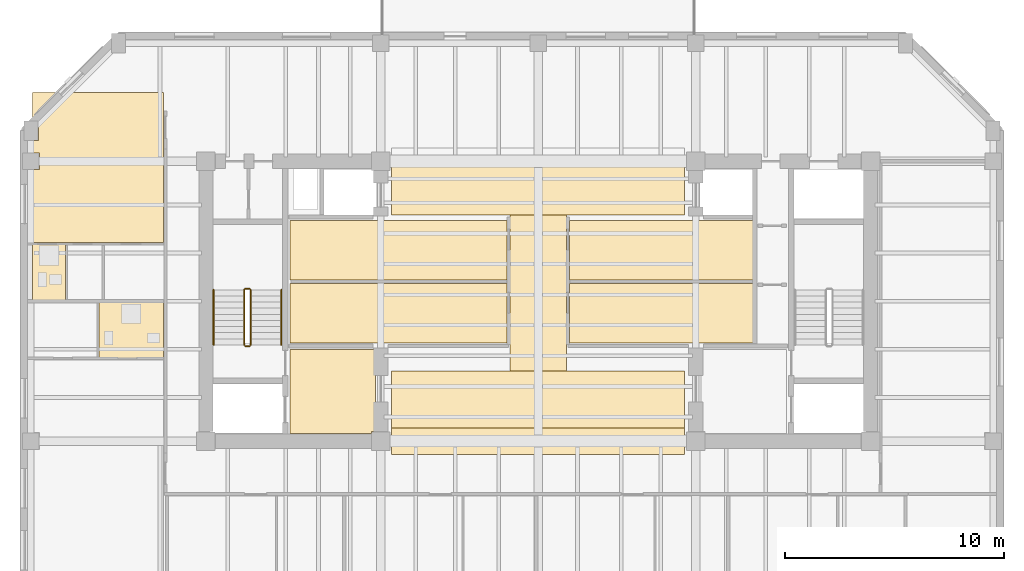
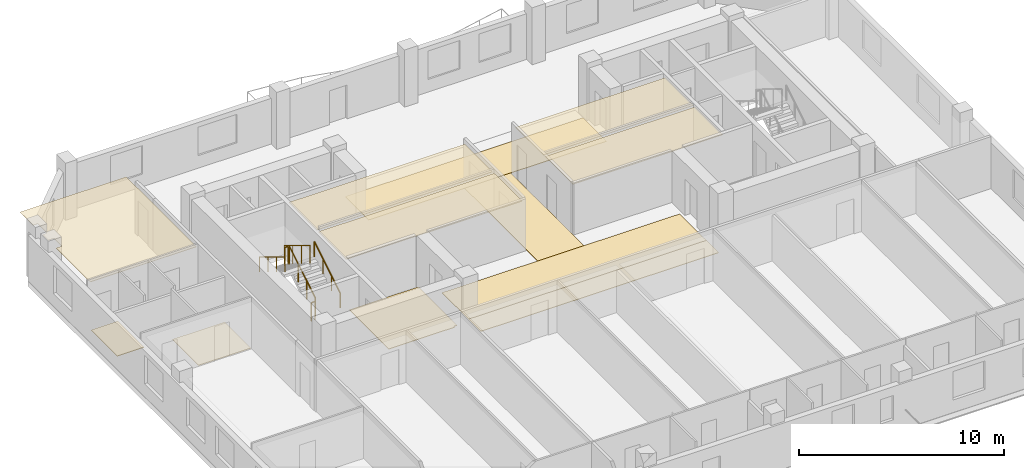
# One storey, part 8 of 11: 12 coverings, 6 railings.
"""IFC4 building model written with IfcOpenShell, lengths in metres."""

from ifc_helpers import new_model, si_unit, direction, frame, origin, origin_2d, place, context, subcontext, project, spatial, polyline, circle, outline, extrude, material, layer, layer_set, type_object, element, save


model = new_model("IFC4")

# Units and contexts
model_context = context("Model", 3, precision=1e-05, world=origin(), true_north=direction((0.0, 1.0)))
body_context = subcontext(model_context, "Body", "Model", "MODEL_VIEW")
ifc_project = project(units=[si_unit("LENGTHUNIT", "METRE"), si_unit("AREAUNIT", "SQUARE_METRE"), si_unit("VOLUMEUNIT", "CUBIC_METRE"), si_unit("PLANEANGLEUNIT", "RADIAN"), si_unit("MASSUNIT", "GRAM", prefix="KILO")], contexts=[model_context])

# Site, building, storey
site_placement = place(None, origin())
site = spatial("IfcSite", under=ifc_project, at=site_placement, CompositionType="ELEMENT")
building_placement = place(site_placement, origin())
building = spatial("IfcBuilding", under=site, at=building_placement, Name="Kranthara Brick Stack", CompositionType="ELEMENT")
storey_placement = place(building_placement, frame((0.0, 0.0, 221.10009765625)))
storey = spatial("IfcBuildingStorey", under=building, at=storey_placement, Name="L57", CompositionType="ELEMENT", Elevation=221.10009765625)

# Coverings
ifc_material_1 = material(Name="Perforated mineral-fibre acoustic ceiling tile", Category="other")
ifc_layer_1 = layer(ifc_material_1, 0.02490234375)
ifc_layer_set_1 = layer_set([ifc_layer_1], Name="Perforated mineral-fibre acoustic ceiling tile")
covering_type_1 = type_object("IfcCoveringType", Name="COV-CEIL-ACOUSTIC", PredefinedType="CEILING", material=ifc_layer_set_1)
covering_1_placement = place(storey_placement, frame((0.0, 0.0, 2.829833984375)))
element("IfcCovering", 1, at=covering_1_placement, inside=storey, type_object=covering_type_1, Name="L57 L57 Sky Club Study Room Acoustic Ceiling", PredefinedType="CEILING", context=body_context, shape_type="SweptSolid", body=[
    extrude(outline(polyline([(26.570068359375, 25.300048828125), (26.570068359375, 28.02001953125), (16.64990234375, 28.02001953125), (16.64990234375, 25.300048828125), (26.570068359375, 25.300048828125)])), origin(), (0.0, 0.0, 1.0), 0.025146484375),
])
covering_2_placement = place(storey_placement, frame((0.0, 0.0, 2.829833984375)))
element("IfcCovering", 2, at=covering_2_placement, inside=storey, type_object=covering_type_1, Name="L57 L57 Sky Club Media Salon Acoustic Ceiling", PredefinedType="CEILING", context=body_context, shape_type="SweptSolid", body=[
    extrude(outline(polyline([(26.570068359375, 28.179931640625), (26.570068359375, 30.89990234375), (16.64990234375, 30.89990234375), (16.64990234375, 28.179931640625), (26.570068359375, 28.179931640625)])), origin(), (0.0, 0.0, 1.0), 0.025146484375),
])
covering_3_placement = place(storey_placement, frame((0.0, 0.0, 2.829833984375)))
element("IfcCovering", 3, at=covering_3_placement, inside=storey, type_object=covering_type_1, Name="L57 L57 Sky Club Tea Room Acoustic Ceiling", PredefinedType="CEILING", context=body_context, shape_type="SweptSolid", body=[
    extrude(outline(polyline([(37.8798828125, 25.300048828125), (37.8798828125, 28.02001953125), (29.429931640625, 28.02001953125), (29.429931640625, 25.300048828125), (37.8798828125, 25.300048828125)])), origin(), (0.0, 0.0, 1.0), 0.025146484375),
])
covering_4_placement = place(storey_placement, frame((0.0, 0.0, 2.829833984375)))
element("IfcCovering", 4, at=covering_4_placement, inside=storey, type_object=covering_type_1, Name="L57 L57 Sky Club Private Dining Room Acoustic Ceiling", PredefinedType="CEILING", context=body_context, shape_type="SweptSolid", body=[
    extrude(outline(polyline([(37.8798828125, 28.179931640625), (37.8798828125, 30.89990234375), (29.429931640625, 30.89990234375), (29.429931640625, 28.179931640625), (37.8798828125, 28.179931640625)])), origin(), (0.0, 0.0, 1.0), 0.025146484375),
])
covering_5_placement = place(storey_placement, frame((0.0, 0.0, 2.829833984375)))
element("IfcCovering", 5, at=covering_5_placement, inside=storey, type_object=covering_type_1, Name="L57 Unit L57F 1-Bed Apartment Living Dining Acoustic Ceiling", PredefinedType="CEILING", context=body_context, shape_type="SweptSolid", body=[
    extrude(outline(polyline([(10.860107421875, 36.75), (10.860107421875, 29.889892578125), (4.8701171875, 29.889892578125), (4.8701171875, 33.215087890625), (5.18505859375, 33.215087890625), (5.18505859375, 33.985107421875), (4.8701171875, 33.985107421875), (4.8701171875, 34.5400390625), (5.135009765625, 34.5400390625), (5.135009765625, 35.4599609375), (4.8701171875, 35.4599609375), (4.8701171875, 36.75), (10.860107421875, 36.75)])), origin(), (0.0, 0.0, 1.0), 0.025146484375),
])
ifc_material_2 = material(Name="Honed terrazzo and porcelain floor finish", Category="stone")
ifc_layer_2 = layer(ifc_material_2, 0.030029296875)
ifc_layer_set_2 = layer_set([ifc_layer_2], Name="Honed terrazzo and porcelain floor finish")
covering_type_2 = type_object("IfcCoveringType", Name="COV-FLOR-STONE", PredefinedType="FLOORING", material=ifc_layer_set_2)
covering_6_placement = place(storey_placement, origin())
element("IfcCovering", 6, at=covering_6_placement, inside=storey, type_object=covering_type_2, Name="L57 Lift Lobby Stone Flooring", PredefinedType="FLOORING", context=body_context, shape_type="SweptSolid", body=[
    extrude(outline(polyline([(16.64990234375, 21.14990234375), (16.64990234375, 25.0), (20.550048828125, 25.0), (20.550048828125, 21.235107421875), (20.364990234375, 21.235107421875), (20.364990234375, 21.14990234375), (16.64990234375, 21.14990234375)])), origin(), (0.0, 0.0, 1.0), 0.02978515625),
])
covering_7_placement = place(storey_placement, origin())
element("IfcCovering", 7, at=covering_7_placement, inside=storey, type_object=covering_type_2, Name="L57 Lift Lobby Stone Flooring", PredefinedType="FLOORING", context=body_context, shape_type="SweptSolid", body=[
    extrude(outline(polyline([(34.699951171875, 21.39990234375), (34.699951171875, 24.0), (21.300048828125, 24.0), (21.300048828125, 21.39990234375), (34.699951171875, 21.39990234375)])), origin(), (0.0, 0.0, 1.0), 0.02978515625),
])
covering_8_placement = place(storey_placement, origin())
element("IfcCovering", 8, at=covering_8_placement, inside=storey, type_object=covering_type_2, Name="L57 Lift Lobby Stone Flooring", PredefinedType="FLOORING", context=body_context, shape_type="SweptSolid", body=[
    extrude(outline(polyline([(34.699951171875, 31.14990234375), (34.699951171875, 33.449951171875), (21.300048828125, 33.449951171875), (21.300048828125, 31.14990234375), (34.699951171875, 31.14990234375)])), origin(), (0.0, 0.0, 1.0), 0.02978515625),
])
covering_9_placement = place(storey_placement, origin())
element("IfcCovering", 9, at=covering_9_placement, inside=storey, type_object=covering_type_2, Name="L57 Lift Lobby Stone Flooring", PredefinedType="FLOORING", context=body_context, shape_type="SweptSolid", body=[
    extrude(outline(polyline([(29.300048828125, 24.0), (26.699951171875, 24.0), (26.699951171875, 31.14990234375), (29.300048828125, 31.14990234375), (29.300048828125, 24.0)])), origin(), (0.0, 0.0, 1.0), 0.02978515625),
])
covering_10_placement = place(storey_placement, origin())
element("IfcCovering", 10, at=covering_10_placement, inside=storey, type_object=covering_type_2, Name="L57 Lift Lobby Stone Flooring", PredefinedType="FLOORING", context=body_context, shape_type="SweptSolid", body=[
    extrude(outline(polyline([(34.699951171875, 20.199951171875), (21.300048828125, 20.199951171875), (21.300048828125, 21.39990234375), (34.699951171875, 21.39990234375), (34.699951171875, 20.199951171875)])), origin(), (0.0, 0.0, 1.0), 0.02978515625),
])
covering_11_placement = place(storey_placement, origin())
element("IfcCovering", 11, at=covering_11_placement, inside=storey, type_object=covering_type_2, Name="L57 Wet Room Porcelain Flooring", PredefinedType="FLOORING", context=body_context, shape_type="SweptSolid", body=[
    extrude(outline(polyline([(10.860107421875, 24.590087890625), (10.860107421875, 27.139892578125), (7.9150390625, 27.139892578125), (7.9150390625, 24.590087890625), (10.860107421875, 24.590087890625)])), origin(), (0.0, 0.0, 1.0), 0.02978515625),
])
covering_12_placement = place(storey_placement, origin())
element("IfcCovering", 12, at=covering_12_placement, inside=storey, type_object=covering_type_2, Name="L57 Wet Room Porcelain Flooring", PredefinedType="FLOORING", context=body_context, shape_type="SweptSolid", body=[
    extrude(outline(polyline([(6.375, 27.260009765625), (6.375, 29.81005859375), (4.8701171875, 29.81005859375), (4.8701171875, 27.260009765625), (6.375, 27.260009765625)])), origin(), (0.0, 0.0, 1.0), 0.02978515625),
])

# Railings
ifc_material_3 = material(Name="Painted galvanized steel stair guardrail", Category="steel")
railing_type_1 = type_object("IfcRailingType", Name="RL-STAIR-GUARD-1100", PredefinedType="GUARDRAIL", material=ifc_material_3)
railing_1_placement = place(storey_placement, frame((14.85009765625, 25.199951171875, 0.169921875)))
element("IfcRailing", 13, at=railing_1_placement, inside=storey, type_object=railing_type_1, Name="L57 ST01 stair guard 1", PredefinedType="GUARDRAIL", context=body_context, shape_type="SweptSolid", body=[
    extrude(circle(Radius=0.02392578125, at=origin_2d()), frame((0.0, 0.0, 1.076171875), z_axis=(0.0, 0.85478489116, 0.518982456201), x_axis=(-1.0, 0.0, 0.0)), (0.0, 0.0, 1.0), 2.9482421875),
    extrude(circle(Radius=0.02099609375, at=origin_2d()), origin(), (0.0, 0.0, 1.0), 1.052001953125),
    extrude(circle(Radius=0.02099609375, at=origin_2d()), frame((0.0, 0.840087890625, 0.510009765625)), (0.0, 0.0, 1.0), 1.052001953125),
    extrude(circle(Radius=0.02099609375, at=origin_2d()), frame((0.0, 1.679931640625, 1.02001953125)), (0.0, 0.0, 1.0), 1.052001953125),
    extrude(circle(Radius=0.02099609375, at=origin_2d()), frame((0.0, 2.52001953125, 1.530029296875)), (0.0, 0.0, 1.0), 1.052001953125),
])
railing_2_placement = place(storey_placement, frame((14.800048828125, 27.77001953125, 1.699951171875)))
element("IfcRailing", 14, at=railing_2_placement, inside=storey, type_object=railing_type_1, Name="L57 ST01 stair guard 2", PredefinedType="GUARDRAIL", context=body_context, shape_type="SweptSolid", body=[
    extrude(circle(Radius=0.02392578125, at=origin_2d()), frame((0.0, 0.0, 1.076171875), z_axis=(-1.0, 0.0, 0.0), x_axis=(0.0, -1.0, 0.0)), (0.0, 0.0, 1.0), 0.199951171875),
    extrude(circle(Radius=0.02099609375, at=origin_2d()), origin(), (0.0, 0.0, 1.0), 1.052001953125),
    extrude(circle(Radius=0.02099609375, at=origin_2d()), frame((-0.199951171875, 0.0, 0.0)), (0.0, 0.0, 1.0), 1.052001953125),
])
railing_3_placement = place(storey_placement, frame((14.550048828125, 27.719970703125, 1.869873046875)))
element("IfcRailing", 15, at=railing_3_placement, inside=storey, type_object=railing_type_1, Name="L57 ST01 stair guard 3", PredefinedType="GUARDRAIL", context=body_context, shape_type="SweptSolid", body=[
    extrude(circle(Radius=0.02392578125, at=origin_2d()), frame((0.0, 0.0, 1.076171875), z_axis=(0.0, -0.85478489116, 0.518982456201), x_axis=(1.0, 0.0, 0.0)), (0.0, 0.0, 1.0), 2.9482421875),
    extrude(circle(Radius=0.02099609375, at=origin_2d()), origin(), (0.0, 0.0, 1.0), 1.052001953125),
    extrude(circle(Radius=0.02099609375, at=origin_2d()), frame((0.0, -0.840087890625, 0.510009765625)), (0.0, 0.0, 1.0), 1.052001953125),
    extrude(circle(Radius=0.02099609375, at=origin_2d()), frame((0.0, -1.679931640625, 1.02001953125)), (0.0, 0.0, 1.0), 1.052001953125),
    extrude(circle(Radius=0.02099609375, at=origin_2d()), frame((0.0, -2.52001953125, 1.530029296875)), (0.0, 0.0, 1.0), 1.052001953125),
])
railing_4_placement = place(storey_placement, frame((14.800048828125, 25.14990234375, 0.0)))
element("IfcRailing", 16, at=railing_4_placement, inside=storey, type_object=railing_type_1, Name="L57 ST01 stair guard 4", PredefinedType="GUARDRAIL", context=body_context, shape_type="SweptSolid", body=[
    extrude(circle(Radius=0.02392578125, at=origin_2d()), frame((0.0, 0.0, 1.076171875), z_axis=(-1.0, 0.0, 0.0), x_axis=(0.0, -1.0, 0.0)), (0.0, 0.0, 1.0), 0.199951171875),
    extrude(circle(Radius=0.02099609375, at=origin_2d()), origin(), (0.0, 0.0, 1.0), 1.052001953125),
    extrude(circle(Radius=0.02099609375, at=origin_2d()), frame((-0.199951171875, 0.0, 0.0)), (0.0, 0.0, 1.0), 1.052001953125),
])
ifc_material_4 = material(Name="Brushed stainless steel tubular handrail", Category="steel")
railing_type_2 = type_object("IfcRailingType", Name="RL-STAIR-HAND-900", PredefinedType="HANDRAIL", material=ifc_material_4)
railing_5_placement = place(storey_placement, frame((16.25, 25.199951171875, 0.169921875)))
element("IfcRailing", 17, at=railing_5_placement, inside=storey, type_object=railing_type_2, Name="L57 ST01 stair handrail 1", PredefinedType="HANDRAIL", context=body_context, shape_type="SweptSolid", body=[
    extrude(circle(Radius=0.02392578125, at=origin_2d()), frame((0.0, 0.0, 0.8759765625), z_axis=(0.0, 0.85478489116, 0.518982456201), x_axis=(-1.0, 0.0, 0.0)), (0.0, 0.0, 1.0), 2.9482421875),
    extrude(circle(Radius=0.02099609375, at=origin_2d()), origin(), (0.0, 0.0, 1.0), 0.851806640625),
    extrude(circle(Radius=0.02099609375, at=origin_2d()), frame((0.0, 0.840087890625, 0.510009765625)), (0.0, 0.0, 1.0), 0.851806640625),
    extrude(circle(Radius=0.02099609375, at=origin_2d()), frame((0.0, 1.679931640625, 1.02001953125)), (0.0, 0.0, 1.0), 0.851806640625),
    extrude(circle(Radius=0.02099609375, at=origin_2d()), frame((0.0, 2.52001953125, 1.530029296875)), (0.0, 0.0, 1.0), 0.851806640625),
])
railing_6_placement = place(storey_placement, frame((13.14990234375, 27.719970703125, 1.869873046875)))
element("IfcRailing", 18, at=railing_6_placement, inside=storey, type_object=railing_type_2, Name="L57 ST01 stair handrail 2", PredefinedType="HANDRAIL", context=body_context, shape_type="SweptSolid", body=[
    extrude(circle(Radius=0.02392578125, at=origin_2d()), frame((0.0, 0.0, 0.8759765625), z_axis=(0.0, -0.85478489116, 0.518982456201), x_axis=(1.0, 0.0, 0.0)), (0.0, 0.0, 1.0), 2.9482421875),
    extrude(circle(Radius=0.02099609375, at=origin_2d()), origin(), (0.0, 0.0, 1.0), 0.851806640625),
    extrude(circle(Radius=0.02099609375, at=origin_2d()), frame((0.0, -0.840087890625, 0.510009765625)), (0.0, 0.0, 1.0), 0.851806640625),
    extrude(circle(Radius=0.02099609375, at=origin_2d()), frame((0.0, -1.679931640625, 1.02001953125)), (0.0, 0.0, 1.0), 0.851806640625),
    extrude(circle(Radius=0.02099609375, at=origin_2d()), frame((0.0, -2.52001953125, 1.530029296875)), (0.0, 0.0, 1.0), 0.851806640625),
])

save(model, "model.ifc")
